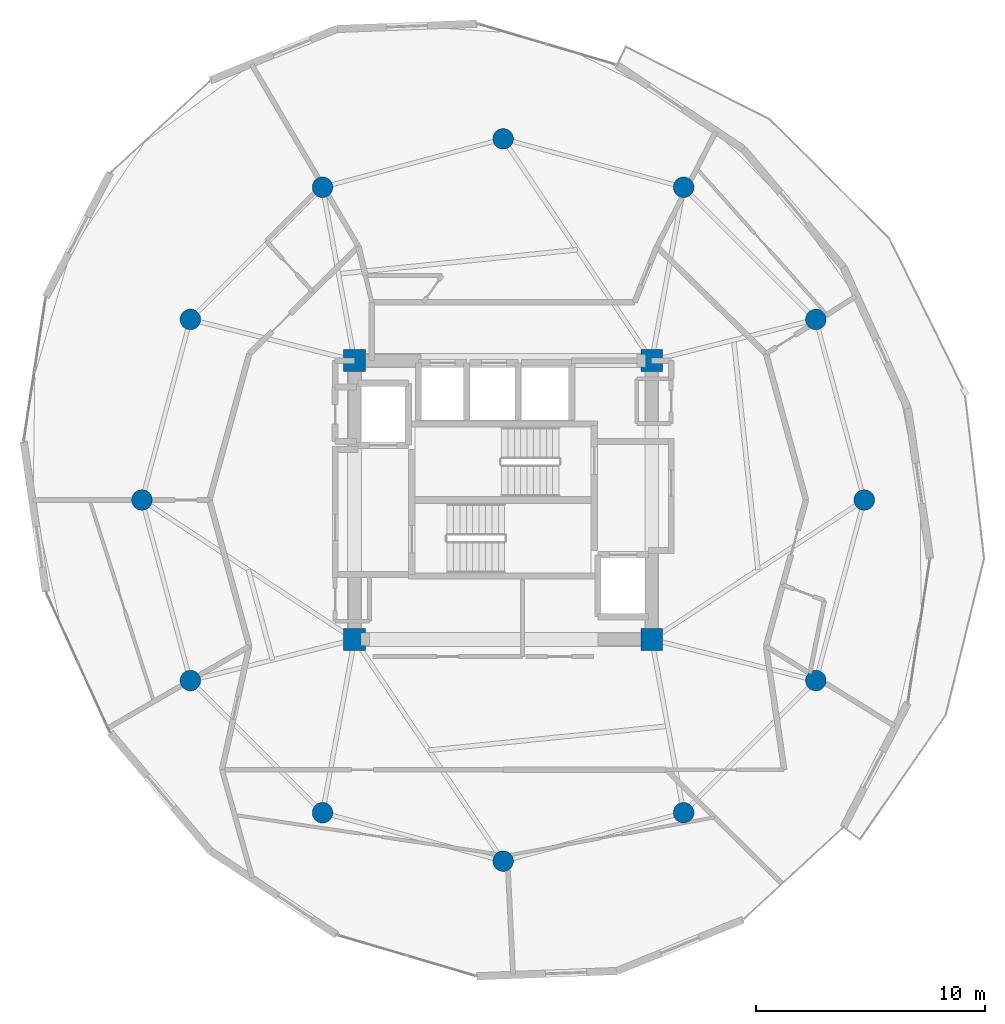
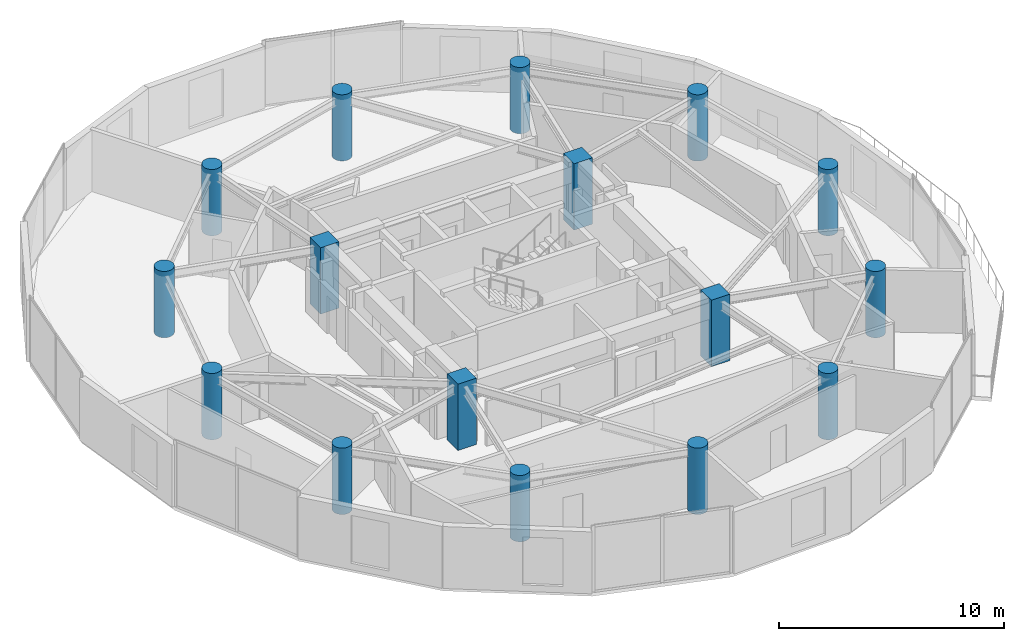
# One storey, part 1 of 24: 16 columns.
"""IFC4 building model written with IfcOpenShell, lengths in metres."""

from ifc_helpers import new_model, si_unit, direction, frame, origin, origin_2d, place, context, subcontext, project, spatial, rectangle, circle, extrude, material, material_profile, profile_set, type_object, element, save


model = new_model("IFC4")

# Units and contexts
model_context = context("Model", 3, precision=1e-05, world=origin(), true_north=direction((0.0, 1.0)))
body_context = subcontext(model_context, "Body", "Model", "MODEL_VIEW")
ifc_project = project(units=[si_unit("LENGTHUNIT", "METRE"), si_unit("AREAUNIT", "SQUARE_METRE"), si_unit("VOLUMEUNIT", "CUBIC_METRE"), si_unit("PLANEANGLEUNIT", "RADIAN"), si_unit("MASSUNIT", "GRAM", prefix="KILO")], contexts=[model_context])

# Site, building, storey
site_placement = place(None, origin())
site = spatial("IfcSite", under=ifc_project, at=site_placement, CompositionType="ELEMENT")
building_placement = place(site_placement, origin())
building = spatial("IfcBuilding", under=site, at=building_placement, Name="Solvirekh Grand Hotel", CompositionType="ELEMENT")
storey_placement = place(building_placement, frame((0.0, 0.0, 184.0)))
storey = spatial("IfcBuildingStorey", under=building, at=storey_placement, Name="L47", CompositionType="ELEMENT", Elevation=184.0)

# Columns
ifc_material = material(Name="Concrete C50/60", Category="concrete")
ifc_material_profile_1 = material_profile(ifc_material, rectangle(XDim=0.949951171875, YDim=0.949951171875, at=origin_2d()), Name="RC 950X950")
ifc_profile_set_1 = profile_set([ifc_material_profile_1], Name="Concrete C50/60")
column_type_1 = type_object("IfcColumnType", Name="Col_Core_950", PredefinedType="COLUMN", material=ifc_profile_set_1)
for number, where, z_axis, x_axis, name in (
    (1, (-6.5, -6.10009765625, 0.0), (0.0, 0.0, 1.0), (1.0, 0.0, 0.0), "L47 core corner column CC1"),
    (2, (6.5, -6.10009765625, 0.0), (0.0, 0.0, 1.0), (1.0, 0.0, 0.0), "L47 core corner column CC2"),
    (3, (6.5, 6.10009765625, 0.0), (0.0, 0.0, 1.0), (1.0, 0.0, 0.0), "L47 core corner column CC3"),
    (4, (-6.5, 6.10009765625, 0.0), (0.0, 0.0, 1.0), (1.0, 0.0, 0.0), "L47 core corner column CC4"),
):
    element("IfcColumn", number, at=place(storey_placement, frame(where, z_axis=z_axis, x_axis=x_axis)), inside=storey, type_object=column_type_1, Name=name, PredefinedType="COLUMN", context=body_context, shape_type="SweptSolid", body=[
        extrude(rectangle(XDim=0.949951171875, YDim=0.949951171875, at=origin_2d()), origin(), (0.0, 0.0, 1.0), 3.60009765625),
    ])
ifc_material_profile_2 = material_profile(ifc_material, circle(Radius=0.449951171875, at=origin_2d()), Name="RC CIRC D900")
ifc_profile_set_2 = profile_set([ifc_material_profile_2], Name="Concrete C50/60")
column_type_2 = type_object("IfcColumnType", Name="Col_Z3_D900", PredefinedType="COLUMN", material=ifc_profile_set_2)
for number, where, z_axis, x_axis, name in (
    (5, (15.800048828125, 0.0, 0.0), (0.0, 0.0, 1.0), (1.0, 0.0, 0.0), "L47 perimeter column P01"),
    (6, (13.68310546875, 7.89990234375, 0.0), (0.0, 0.0, 1.0), (1.0, 0.0, 0.0), "L47 perimeter column P02"),
    (7, (7.89990234375, 13.68310546875, 0.0), (0.0, 0.0, 1.0), (1.0, 0.0, 0.0), "L47 perimeter column P03"),
    (8, (0.0, 15.800048828125, 0.0), (0.0, 0.0, 1.0), (1.0, 0.0, 0.0), "L47 perimeter column P04"),
    (9, (-7.89990234375, 13.68310546875, 0.0), (0.0, 0.0, 1.0), (1.0, 0.0, 0.0), "L47 perimeter column P05"),
    (10, (-13.68310546875, 7.89990234375, 0.0), (0.0, 0.0, 1.0), (1.0, 0.0, 0.0), "L47 perimeter column P06"),
    (11, (-15.800048828125, 0.0, 0.0), (0.0, 0.0, 1.0), (1.0, 0.0, 0.0), "L47 perimeter column P07"),
    (12, (-13.68310546875, -7.89990234375, 0.0), (0.0, 0.0, 1.0), (1.0, 0.0, 0.0), "L47 perimeter column P08"),
    (13, (-7.89990234375, -13.68310546875, 0.0), (0.0, 0.0, 1.0), (1.0, 0.0, 0.0), "L47 perimeter column P09"),
    (14, (0.0, -15.800048828125, 0.0), (0.0, 0.0, 1.0), (1.0, 0.0, 0.0), "L47 perimeter column P10"),
    (15, (7.89990234375, -13.68310546875, 0.0), (0.0, 0.0, 1.0), (1.0, 0.0, 0.0), "L47 perimeter column P11"),
    (16, (13.68310546875, -7.89990234375, 0.0), (0.0, 0.0, 1.0), (1.0, 0.0, 0.0), "L47 perimeter column P12"),
):
    element("IfcColumn", number, at=place(storey_placement, frame(where, z_axis=z_axis, x_axis=x_axis)), inside=storey, type_object=column_type_2, Name=name, PredefinedType="COLUMN", context=body_context, shape_type="SweptSolid", body=[
        extrude(circle(Radius=0.449951171875, at=origin_2d()), origin(), (0.0, 0.0, 1.0), 3.60009765625),
    ])

save(model, "model.ifc")
